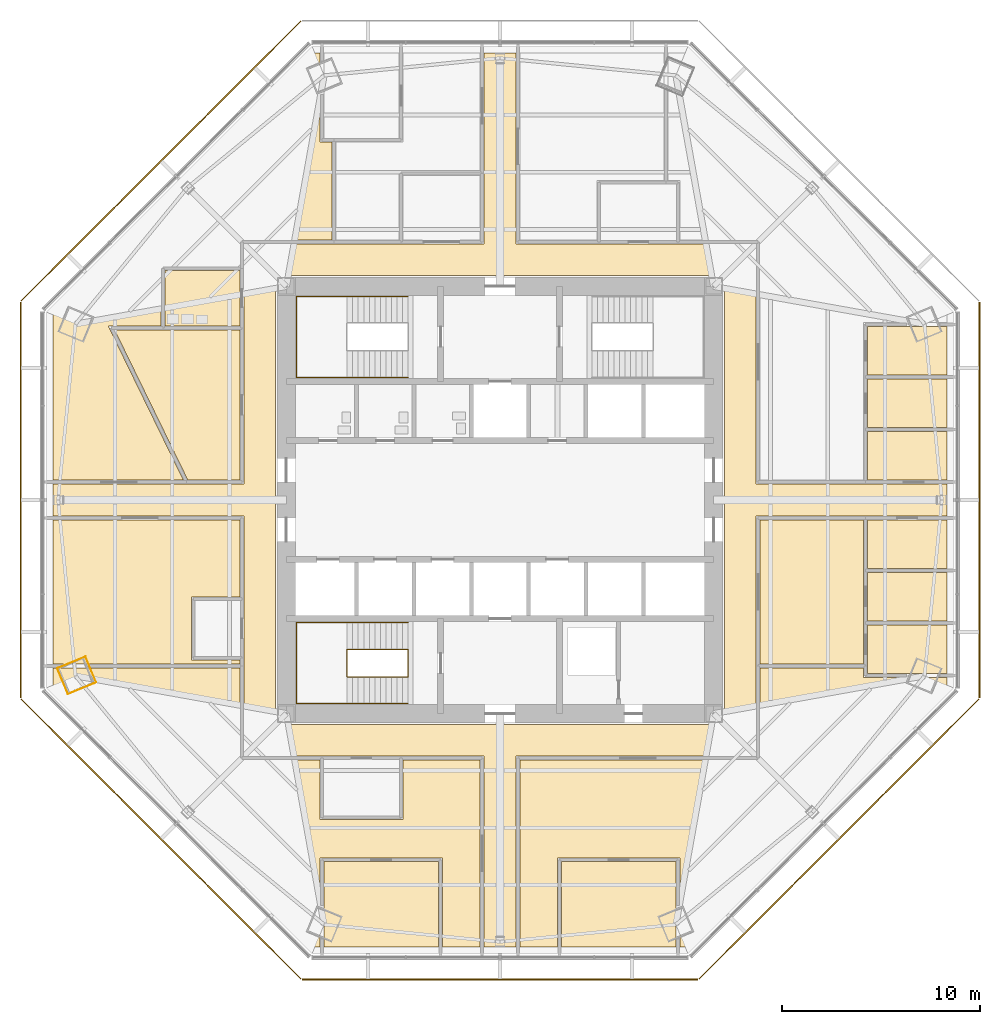
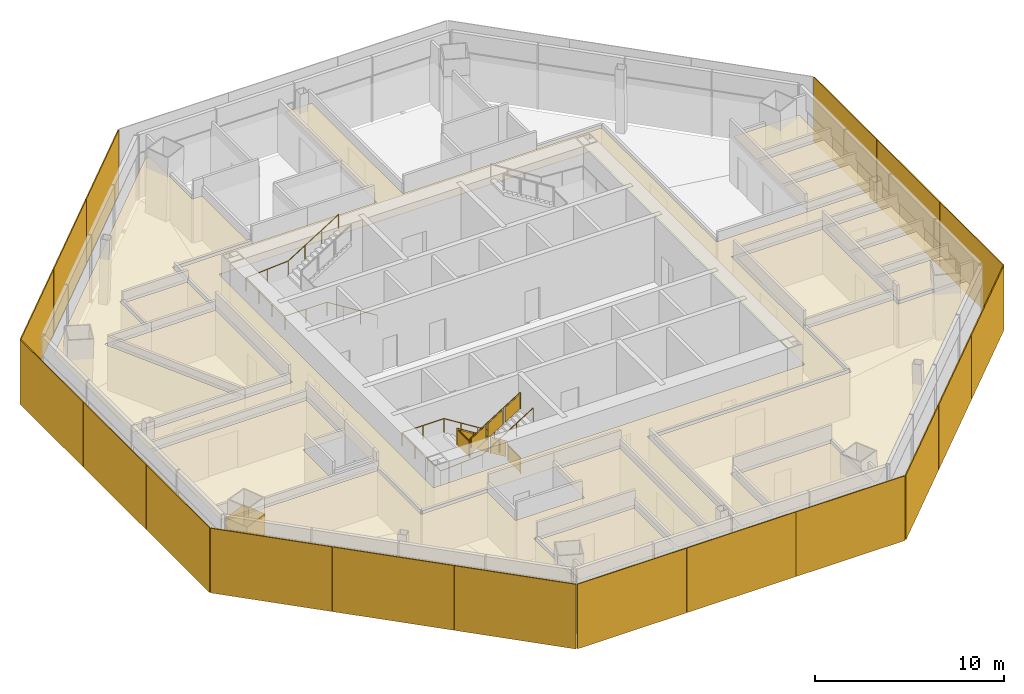
# One storey, part 13 of 15: 18 shading devices, 17 coverings, 3 railings.
"""IFC4 building model written with IfcOpenShell, lengths in metres."""

from ifc_helpers import new_model, si_unit, direction, frame, origin, origin_2d, place, context, subcontext, project, spatial, polyline, rectangle, circle, outline, extrude, source, transform, mapped, material, layer, layer_set, type_object, type_shapes, element, save


model = new_model("IFC4")

# Units and contexts
model_context = context("Model", 3, precision=1e-05, world=origin(), true_north=direction((0.0, 1.0)))
body_context = subcontext(model_context, "Body", "Model", "MODEL_VIEW")
ifc_project = project(units=[si_unit("LENGTHUNIT", "METRE"), si_unit("AREAUNIT", "SQUARE_METRE"), si_unit("VOLUMEUNIT", "CUBIC_METRE"), si_unit("PLANEANGLEUNIT", "RADIAN"), si_unit("MASSUNIT", "GRAM", prefix="KILO")], contexts=[model_context])

# Site, building, storey
site_placement = place(None, origin())
site = spatial("IfcSite", under=ifc_project, at=site_placement, CompositionType="ELEMENT")
building_placement = place(site_placement, origin())
building = spatial("IfcBuilding", under=site, at=building_placement, Name="Mashrafa Tower", CompositionType="ELEMENT")
storey_placement = place(building_placement, frame((0.0, 0.0, 172.199951171875)))
storey = spatial("IfcBuildingStorey", under=building, at=storey_placement, Name="L39", CompositionType="ELEMENT", Elevation=172.199951171875)

# Covering
ifc_material_1 = material(Name="Gypsum board")
ifc_layer_1 = layer(ifc_material_1, 0.014892578125)
ifc_layer_set_1 = layer_set([ifc_layer_1], Name="Column casing plasterboard 15")
covering_type_1 = type_object("IfcCoveringType", Name="Column casing plasterboard 15", PredefinedType="CLADDING", material=ifc_layer_set_1)
covering_1_placement = place(storey_placement, origin())
element("IfcCovering", 1, at=covering_1_placement, inside=storey, type_object=covering_type_1, Name="Column casing L39-002", PredefinedType="CLADDING", context=body_context, shape_type="SweptSolid", body=[
    extrude(outline(polyline([(-22.399658203125, -8.50439453125), (-22.26708984375, -8.449462890625), (-20.958984375, -7.90771484375), (-20.411865234375, -9.228759765625), (-20.544677734375, -9.28369140625), (-21.8525390625, -9.825439453125), (-22.399658203125, -8.50439453125)]), holes=[polyline([(-20.55029296875, -9.27001953125), (-20.431396484375, -9.220703125), (-20.96728515625, -7.92724609375), (-22.26123046875, -8.46337890625), (-22.380126953125, -8.512451171875), (-21.844482421875, -9.805908203125), (-20.55029296875, -9.27001953125)])]), origin(), (0.0, 0.0, 1.0), 3.097900390625),
])

# Railings
ifc_material_2 = material(Name="Steel guard with glass infill", Category="steel")
railing_type_1 = type_object("IfcRailingType", Name="Stair guard 1100", PredefinedType="GUARDRAIL", material=ifc_material_2)
railing_1_placement = place(storey_placement, frame((-4.64990234375, -8.949951171875, 0.0)))
element("IfcRailing", 2, at=railing_1_placement, inside=storey, type_object=railing_type_1, Name="Stair S3 guard L39", PredefinedType="GUARDRAIL", context=body_context, shape_type="SweptSolid", body=[
    extrude(circle(Radius=0.02392578125, at=origin_2d()), frame((0.0, 0.0, 1.076171875), z_axis=(0.0, 1.0, 0.0), x_axis=(-1.0, 0.0, 0.0)), (0.0, 0.0, 1.0), 1.39990234375),
    extrude(circle(Radius=0.02392578125, at=origin_2d()), frame((0.0, 1.39990234375, 1.076171875), z_axis=(0.0, 0.0, 1.0), x_axis=(1.0, 0.0, 0.0)), (0.0, 0.0, 1.0), 0.175048828125),
    extrude(circle(Radius=0.02392578125, at=origin_2d()), frame((0.0, 1.39990234375, 1.2509765625), z_axis=(-0.847998304005, 0.0, 0.529998940003), x_axis=(0.0, -1.0, 0.0)), (0.0, 0.0, 1.0), 3.632080078125),
    extrude(circle(Radius=0.02392578125, at=origin_2d()), frame((-3.080078125, 1.39990234375, 3.17626953125), z_axis=(0.0, -1.0, 0.0), x_axis=(1.0, 0.0, 0.0)), (0.0, 0.0, 1.0), 1.39990234375),
    extrude(circle(Radius=0.02392578125, at=origin_2d()), frame((-3.080078125, 0.0, 3.17626953125), z_axis=(0.0, 0.0, 1.0), x_axis=(1.0, 0.0, 0.0)), (0.0, 0.0, 1.0), 0.175048828125),
    extrude(circle(Radius=0.02392578125, at=origin_2d()), frame((-3.080078125, 0.0, 3.35107421875), z_axis=(0.848028513186, 0.0, 0.529950602248), x_axis=(0.0, 1.0, 0.0)), (0.0, 0.0, 1.0), 3.632080078125),
    extrude(circle(Radius=0.02099609375, at=origin_2d()), origin(), (0.0, 0.0, 1.0), 1.052001953125),
    extrude(circle(Radius=0.02099609375, at=origin_2d()), frame((0.0, 1.39990234375, 0.0)), (0.0, 0.0, 1.0), 1.052001953125),
    extrude(circle(Radius=0.02099609375, at=origin_2d()), frame((0.0, 1.39990234375, 0.175048828125)), (0.0, 0.0, 1.0), 1.052001953125),
    extrude(circle(Radius=0.02099609375, at=origin_2d()), frame((-1.026611328125, 1.39990234375, 0.816650390625)), (0.0, 0.0, 1.0), 1.052001953125),
    extrude(circle(Radius=0.02099609375, at=origin_2d()), frame((-2.053466796875, 1.39990234375, 1.45849609375)), (0.0, 0.0, 1.0), 1.052001953125),
    extrude(circle(Radius=0.02099609375, at=origin_2d()), frame((-3.080078125, 1.39990234375, 2.10009765625)), (0.0, 0.0, 1.0), 1.052001953125),
    extrude(circle(Radius=0.02099609375, at=origin_2d()), frame((-3.080078125, 0.0, 2.10009765625)), (0.0, 0.0, 1.0), 1.052001953125),
    extrude(circle(Radius=0.02099609375, at=origin_2d()), frame((-3.080078125, 0.0, 2.275146484375)), (0.0, 0.0, 1.0), 1.052001953125),
    extrude(circle(Radius=0.02099609375, at=origin_2d()), frame((-2.053466796875, 0.0, 2.916748046875)), (0.0, 0.0, 1.0), 1.052001953125),
    extrude(circle(Radius=0.02099609375, at=origin_2d()), frame((-1.026611328125, 0.0, 3.558349609375)), (0.0, 0.0, 1.0), 1.052001953125),
    extrude(circle(Radius=0.02099609375, at=origin_2d()), frame((0.0, 0.0, 4.199951171875)), (0.0, 0.0, 1.0), 1.052001953125),
    extrude(outline(polyline([(0.071044921875, 0.050048828125), (1.328857421875, 0.050048828125), (1.328857421875, 1.001953125), (0.071044921875, 1.001953125), (0.071044921875, 0.050048828125)])), frame((0.006103515625, 0.0, 0.0), z_axis=(1.0, 0.0, 0.0), x_axis=(0.0, 1.0, 0.0)), (0.0, 0.0, 1.0), 0.011962890625),
    extrude(outline(polyline([(0.071044921875, 0.094482421875), (0.955810546875, 0.647216796875), (0.955810546875, 1.599365234375), (0.071044921875, 1.04638671875), (0.071044921875, 0.094482421875)])), frame((0.0, 1.406005859375, 0.175048828125), z_axis=(0.0, 1.0, 0.0), x_axis=(-1.0, 0.0, 0.0)), (0.0, 0.0, 1.0), 0.011962890625),
    extrude(outline(polyline([(1.09765625, 0.736083984375), (1.982421875, 1.2890625), (1.982421875, 2.240966796875), (1.09765625, 1.68798828125), (1.09765625, 0.736083984375)])), frame((0.0, 1.406005859375, 0.175048828125), z_axis=(0.0, 1.0, 0.0), x_axis=(-1.0, 0.0, 0.0)), (0.0, 0.0, 1.0), 0.011962890625),
    extrude(outline(polyline([(2.124267578125, 1.377685546875), (3.009033203125, 1.9306640625), (3.009033203125, 2.882568359375), (2.124267578125, 2.329833984375), (2.124267578125, 1.377685546875)])), frame((0.0, 1.406005859375, 0.175048828125), z_axis=(0.0, 1.0, 0.0), x_axis=(-1.0, 0.0, 0.0)), (0.0, 0.0, 1.0), 0.011962890625),
    extrude(outline(polyline([(0.071044921875, 0.050048828125), (1.328857421875, 0.050048828125), (1.328857421875, 1.001953125), (0.071044921875, 1.001953125), (0.071044921875, 0.050048828125)])), frame((-3.086181640625, 1.39990234375, 2.10009765625), z_axis=(-1.0, 0.0, 0.0), x_axis=(0.0, -1.0, 0.0)), (0.0, 0.0, 1.0), 0.011962890625),
    extrude(outline(polyline([(0.071044921875, 0.094482421875), (0.955810546875, 0.647216796875), (0.955810546875, 1.59912109375), (0.071044921875, 1.04638671875), (0.071044921875, 0.094482421875)])), frame((-3.080078125, -0.006103515625, 2.275146484375), z_axis=(0.0, -1.0, 0.0), x_axis=(1.0, 0.0, 0.0)), (0.0, 0.0, 1.0), 0.011962890625),
    extrude(outline(polyline([(1.09765625, 0.736083984375), (1.982421875, 1.288818359375), (1.982421875, 2.24072265625), (1.09765625, 1.68798828125), (1.09765625, 0.736083984375)])), frame((-3.080078125, -0.006103515625, 2.275146484375), z_axis=(0.0, -1.0, 0.0), x_axis=(1.0, 0.0, 0.0)), (0.0, 0.0, 1.0), 0.011962890625),
    extrude(outline(polyline([(2.124267578125, 1.377685546875), (3.009033203125, 1.930419921875), (3.009033203125, 2.88232421875), (2.124267578125, 2.32958984375), (2.124267578125, 1.377685546875)])), frame((-3.080078125, -0.006103515625, 2.275146484375), z_axis=(0.0, -1.0, 0.0), x_axis=(1.0, 0.0, 0.0)), (0.0, 0.0, 1.0), 0.011962890625),
])
ifc_material_3 = material(Name="Steel", Category="steel")
railing_type_2 = type_object("IfcRailingType", Name="Stair handrail 900", PredefinedType="HANDRAIL", material=ifc_material_3)
railing_2_placement = place(storey_placement, frame((-4.64990234375, 6.199951171875, 0.175048828125)))
element("IfcRailing", 3, at=railing_2_placement, inside=storey, type_object=railing_type_2, Name="Stair S1 handrail L39", PredefinedType="HANDRAIL", context=body_context, shape_type="SweptSolid", body=[
    extrude(circle(Radius=0.02392578125, at=origin_2d()), frame((0.0, 0.0, 0.8759765625), z_axis=(-0.847998304005, 0.0, 0.529998940003), x_axis=(0.0, -1.0, 0.0)), (0.0, 0.0, 1.0), 3.632080078125),
    extrude(circle(Radius=0.02392578125, at=origin_2d()), frame((-3.080078125, 0.0, 2.80078125), z_axis=(-1.0, 0.0, 0.0), x_axis=(0.0, -1.0, 0.0)), (0.0, 0.0, 1.0), 2.570068359375),
    extrude(circle(Radius=0.02392578125, at=origin_2d()), frame((-5.650146484375, 0.0, 2.80078125), z_axis=(0.0, 1.0, 0.0), x_axis=(-1.0, 0.0, 0.0)), (0.0, 0.0, 1.0), 4.10009765625),
    extrude(circle(Radius=0.02392578125, at=origin_2d()), frame((-5.650146484375, 4.10009765625, 2.80078125), z_axis=(0.997688514158, 0.0, 0.067953136188), x_axis=(0.0, 1.0, 0.0)), (0.0, 0.0, 1.0), 2.575927734375),
    extrude(circle(Radius=0.02392578125, at=origin_2d()), frame((-3.080078125, 4.10009765625, 2.97607421875), z_axis=(0.848028513186, 0.0, 0.529950602248), x_axis=(0.0, 1.0, 0.0)), (0.0, 0.0, 1.0), 3.632080078125),
    extrude(circle(Radius=0.02099609375, at=origin_2d()), origin(), (0.0, 0.0, 1.0), 0.851806640625),
    extrude(circle(Radius=0.02099609375, at=origin_2d()), frame((-1.026611328125, 0.0, 0.6416015625)), (0.0, 0.0, 1.0), 0.851806640625),
    extrude(circle(Radius=0.02099609375, at=origin_2d()), frame((-2.053466796875, 0.0, 1.283447265625)), (0.0, 0.0, 1.0), 0.851806640625),
    extrude(circle(Radius=0.02099609375, at=origin_2d()), frame((-3.080078125, 0.0, 1.925048828125)), (0.0, 0.0, 1.0), 0.851806640625),
    extrude(circle(Radius=0.02099609375, at=origin_2d()), frame((-4.365234375, 0.0, 1.925048828125)), (0.0, 0.0, 1.0), 0.851806640625),
    extrude(circle(Radius=0.02099609375, at=origin_2d()), frame((-5.650146484375, 0.0, 1.925048828125)), (0.0, 0.0, 1.0), 0.851806640625),
    extrude(circle(Radius=0.02099609375, at=origin_2d()), frame((-5.650146484375, 1.36669921875, 1.925048828125)), (0.0, 0.0, 1.0), 0.851806640625),
    extrude(circle(Radius=0.02099609375, at=origin_2d()), frame((-5.650146484375, 2.7333984375, 1.925048828125)), (0.0, 0.0, 1.0), 0.851806640625),
    extrude(circle(Radius=0.02099609375, at=origin_2d()), frame((-5.650146484375, 4.10009765625, 1.925048828125)), (0.0, 0.0, 1.0), 0.851806640625),
    extrude(circle(Radius=0.02099609375, at=origin_2d()), frame((-4.365234375, 4.10009765625, 2.0126953125)), (0.0, 0.0, 1.0), 0.851806640625),
    extrude(circle(Radius=0.02099609375, at=origin_2d()), frame((-3.080078125, 4.10009765625, 2.10009765625)), (0.0, 0.0, 1.0), 0.851806640625),
    extrude(circle(Radius=0.02099609375, at=origin_2d()), frame((-2.053466796875, 4.10009765625, 2.74169921875)), (0.0, 0.0, 1.0), 0.851806640625),
    extrude(circle(Radius=0.02099609375, at=origin_2d()), frame((-1.026611328125, 4.10009765625, 3.38330078125)), (0.0, 0.0, 1.0), 0.851806640625),
    extrude(circle(Radius=0.02099609375, at=origin_2d()), frame((0.0, 4.10009765625, 4.02490234375)), (0.0, 0.0, 1.0), 0.851806640625),
])
railing_3_placement = place(storey_placement, frame((-4.64990234375, -6.199951171875, 0.175048828125)))
element("IfcRailing", 4, at=railing_3_placement, inside=storey, type_object=railing_type_2, Name="Stair S3 handrail L39", PredefinedType="HANDRAIL", context=body_context, shape_type="SweptSolid", body=[
    extrude(circle(Radius=0.02392578125, at=origin_2d()), frame((0.0, 0.0, 0.8759765625), z_axis=(-0.847998304005, 0.0, 0.529998940003), x_axis=(0.0, -1.0, 0.0)), (0.0, 0.0, 1.0), 3.632080078125),
    extrude(circle(Radius=0.02392578125, at=origin_2d()), frame((-3.080078125, 0.0, 2.80078125), z_axis=(-1.0, 0.0, 0.0), x_axis=(0.0, -1.0, 0.0)), (0.0, 0.0, 1.0), 2.570068359375),
    extrude(circle(Radius=0.02392578125, at=origin_2d()), frame((-5.650146484375, 0.0, 2.80078125), z_axis=(0.0, -1.0, 0.0), x_axis=(1.0, 0.0, 0.0)), (0.0, 0.0, 1.0), 4.10009765625),
    extrude(circle(Radius=0.02392578125, at=origin_2d()), frame((-5.650146484375, -4.10009765625, 2.80078125), z_axis=(0.997688514158, 0.0, 0.067953136188), x_axis=(0.0, 1.0, 0.0)), (0.0, 0.0, 1.0), 2.575927734375),
    extrude(circle(Radius=0.02392578125, at=origin_2d()), frame((-3.080078125, -4.10009765625, 2.97607421875), z_axis=(0.848028513186, 0.0, 0.529950602248), x_axis=(0.0, 1.0, 0.0)), (0.0, 0.0, 1.0), 3.632080078125),
    extrude(circle(Radius=0.02099609375, at=origin_2d()), origin(), (0.0, 0.0, 1.0), 0.851806640625),
    extrude(circle(Radius=0.02099609375, at=origin_2d()), frame((-1.026611328125, 0.0, 0.6416015625)), (0.0, 0.0, 1.0), 0.851806640625),
    extrude(circle(Radius=0.02099609375, at=origin_2d()), frame((-2.053466796875, 0.0, 1.283447265625)), (0.0, 0.0, 1.0), 0.851806640625),
    extrude(circle(Radius=0.02099609375, at=origin_2d()), frame((-3.080078125, 0.0, 1.925048828125)), (0.0, 0.0, 1.0), 0.851806640625),
    extrude(circle(Radius=0.02099609375, at=origin_2d()), frame((-4.365234375, 0.0, 1.925048828125)), (0.0, 0.0, 1.0), 0.851806640625),
    extrude(circle(Radius=0.02099609375, at=origin_2d()), frame((-5.650146484375, 0.0, 1.925048828125)), (0.0, 0.0, 1.0), 0.851806640625),
    extrude(circle(Radius=0.02099609375, at=origin_2d()), frame((-5.650146484375, -1.36669921875, 1.925048828125)), (0.0, 0.0, 1.0), 0.851806640625),
    extrude(circle(Radius=0.02099609375, at=origin_2d()), frame((-5.650146484375, -2.7333984375, 1.925048828125)), (0.0, 0.0, 1.0), 0.851806640625),
    extrude(circle(Radius=0.02099609375, at=origin_2d()), frame((-5.650146484375, -4.10009765625, 1.925048828125)), (0.0, 0.0, 1.0), 0.851806640625),
    extrude(circle(Radius=0.02099609375, at=origin_2d()), frame((-4.365234375, -4.10009765625, 2.0126953125)), (0.0, 0.0, 1.0), 0.851806640625),
    extrude(circle(Radius=0.02099609375, at=origin_2d()), frame((-3.080078125, -4.10009765625, 2.10009765625)), (0.0, 0.0, 1.0), 0.851806640625),
    extrude(circle(Radius=0.02099609375, at=origin_2d()), frame((-2.053466796875, -4.10009765625, 2.74169921875)), (0.0, 0.0, 1.0), 0.851806640625),
    extrude(circle(Radius=0.02099609375, at=origin_2d()), frame((-1.026611328125, -4.10009765625, 3.38330078125)), (0.0, 0.0, 1.0), 0.851806640625),
    extrude(circle(Radius=0.02099609375, at=origin_2d()), frame((0.0, -4.10009765625, 4.02490234375)), (0.0, 0.0, 1.0), 0.851806640625),
])

# Coverings
ifc_material_4 = material(Name="Mineral fibre tile on suspension grid")
ifc_layer_2 = layer(ifc_material_4, 0.014892578125)
ifc_layer_set_2 = layer_set([ifc_layer_2], Name="Suspended ceiling mineral tile 15")
covering_type_2 = type_object("IfcCoveringType", Name="Suspended ceiling mineral tile 15", PredefinedType="CEILING", material=ifc_layer_set_2)
covering_2_placement = place(storey_placement, frame((0.0, 0.0, 2.900146484375)))
element("IfcCovering", 5, at=covering_2_placement, inside=storey, type_object=covering_type_2, Name="Ceiling Office Corridor L39", PredefinedType="CEILING", context=body_context, shape_type="SweptSolid", body=[
    extrude(outline(polyline([(-12.949951171875, -12.949951171875), (-12.949951171875, -0.800048828125), (-22.593505859375, -0.800048828125), (-22.593505859375, 0.800048828125), (-12.949951171875, 0.800048828125), (-12.949951171875, 12.949951171875), (-0.800048828125, 12.949951171875), (-0.800048828125, 22.593505859375), (0.800048828125, 22.593505859375), (0.800048828125, 12.949951171875), (12.949951171875, 12.949951171875), (12.949951171875, 0.800048828125), (22.593505859375, 0.800048828125), (22.593505859375, -0.800048828125), (12.949951171875, -0.800048828125), (12.949951171875, -12.949951171875), (0.800048828125, -12.949951171875), (0.800048828125, -22.593505859375), (-0.800048828125, -22.593505859375), (-0.800048828125, -12.949951171875), (-12.949951171875, -12.949951171875)]), holes=[polyline([(11.35009765625, 11.35009765625), (-11.35009765625, 11.35009765625), (-11.35009765625, -11.35009765625), (11.35009765625, -11.35009765625), (11.35009765625, 11.35009765625)])]), origin(), (0.0, 0.0, 1.0), 0.014892578125),
])
covering_3_placement = place(storey_placement, frame((0.0, 0.0, 2.900146484375)))
element("IfcCovering", 6, at=covering_3_placement, inside=storey, type_object=covering_type_2, Name="Ceiling Musallah Prayer Room 39", PredefinedType="CEILING", context=body_context, shape_type="SweptSolid", body=[
    extrude(outline(polyline([(-15.783203125, 1.0), (-19.489990234375, 8.60009765625), (-13.14990234375, 8.60009765625), (-13.14990234375, 1.0), (-15.783203125, 1.0)])), origin(), (0.0, 0.0, 1.0), 0.014892578125),
])
covering_4_placement = place(storey_placement, frame((0.0, 0.0, 2.900146484375)))
element("IfcCovering", 7, at=covering_4_placement, inside=storey, type_object=covering_type_2, Name="Ceiling Ablution Room L39", PredefinedType="CEILING", context=body_context, shape_type="SweptSolid", body=[
    extrude(outline(polyline([(-16.949951171875, 8.800048828125), (-16.949951171875, 11.60009765625), (-13.14990234375, 11.60009765625), (-13.14990234375, 8.800048828125), (-16.949951171875, 8.800048828125)])), origin(), (0.0, 0.0, 1.0), 0.014892578125),
])
covering_5_placement = place(storey_placement, frame((0.0, 0.0, 2.900146484375)))
element("IfcCovering", 8, at=covering_5_placement, inside=storey, type_object=covering_type_2, Name="Ceiling Office 39-2-SE2-1", PredefinedType="CEILING", context=body_context, shape_type="SweptSolid", body=[
    extrude(outline(polyline([(18.593505859375, -6.31103515625), (22.593505859375, -6.31103515625), (22.593505859375, -8.76708984375), (18.593505859375, -8.76708984375), (18.593505859375, -6.31103515625)])), origin(), (0.0, 0.0, 1.0), 0.014892578125),
])
covering_6_placement = place(storey_placement, frame((0.0, 0.0, 2.900146484375)))
element("IfcCovering", 9, at=covering_6_placement, inside=storey, type_object=covering_type_2, Name="Ceiling Office 39-2-SE2-2", PredefinedType="CEILING", context=body_context, shape_type="SweptSolid", body=[
    extrude(outline(polyline([(18.593505859375, -3.656005859375), (22.593505859375, -3.656005859375), (22.593505859375, -6.111083984375), (18.593505859375, -6.111083984375), (18.593505859375, -3.656005859375)])), origin(), (0.0, 0.0, 1.0), 0.014892578125),
])
covering_7_placement = place(storey_placement, frame((0.0, 0.0, 2.900146484375)))
element("IfcCovering", 10, at=covering_7_placement, inside=storey, type_object=covering_type_2, Name="Ceiling Office 39-1-3", PredefinedType="CEILING", context=body_context, shape_type="SweptSolid", body=[
    extrude(outline(polyline([(18.593505859375, -1.0), (22.593505859375, -1.0), (22.593505859375, -3.4560546875), (18.593505859375, -3.4560546875), (18.593505859375, -1.0)])), origin(), (0.0, 0.0, 1.0), 0.014892578125),
])
covering_8_placement = place(storey_placement, frame((0.0, 0.0, 2.900146484375)))
element("IfcCovering", 11, at=covering_8_placement, inside=storey, type_object=covering_type_2, Name="Ceiling Office 39-2-1", PredefinedType="CEILING", context=body_context, shape_type="SweptSolid", body=[
    extrude(outline(polyline([(18.593505859375, 3.4560546875), (22.593505859375, 3.4560546875), (22.593505859375, 1.0), (18.593505859375, 1.0), (18.593505859375, 3.4560546875)])), origin(), (0.0, 0.0, 1.0), 0.014892578125),
])
covering_9_placement = place(storey_placement, frame((0.0, 0.0, 2.900146484375)))
element("IfcCovering", 12, at=covering_9_placement, inside=storey, type_object=covering_type_2, Name="Ceiling Office 39-1-NE1-1", PredefinedType="CEILING", context=body_context, shape_type="SweptSolid", body=[
    extrude(outline(polyline([(18.593505859375, 6.111083984375), (22.593505859375, 6.111083984375), (22.593505859375, 3.656005859375), (18.593505859375, 3.656005859375), (18.593505859375, 6.111083984375)])), origin(), (0.0, 0.0, 1.0), 0.014892578125),
])
covering_10_placement = place(storey_placement, frame((0.0, 0.0, 2.900146484375)))
element("IfcCovering", 13, at=covering_10_placement, inside=storey, type_object=covering_type_2, Name="Ceiling Office 39-1-NE1-2", PredefinedType="CEILING", context=body_context, shape_type="SweptSolid", body=[
    extrude(outline(polyline([(18.593505859375, 8.76708984375), (22.593505859375, 8.76708984375), (22.593505859375, 6.31103515625), (18.593505859375, 6.31103515625), (18.593505859375, 8.76708984375)])), origin(), (0.0, 0.0, 1.0), 0.014892578125),
])
covering_11_placement = place(storey_placement, frame((0.0, 0.0, 2.900146484375)))
element("IfcCovering", 14, at=covering_11_placement, inside=storey, type_object=covering_type_2, Name="Ceiling Meeting Room 39-2-SW1", PredefinedType="CEILING", context=body_context, shape_type="SweptSolid", body=[
    extrude(outline(polyline([(-8.89990234375, -18.29345703125), (-3.10009765625, -18.29345703125), (-3.10009765625, -22.593505859375), (-8.89990234375, -22.593505859375), (-8.89990234375, -18.29345703125)])), origin(), (0.0, 0.0, 1.0), 0.014892578125),
])
covering_12_placement = place(storey_placement, frame((0.0, 0.0, 2.900146484375)))
element("IfcCovering", 15, at=covering_12_placement, inside=storey, type_object=covering_type_2, Name="Ceiling Meeting Room 39-1-SE1", PredefinedType="CEILING", context=body_context, shape_type="SweptSolid", body=[
    extrude(outline(polyline([(3.10009765625, -18.29345703125), (8.89990234375, -18.29345703125), (8.89990234375, -22.593505859375), (3.10009765625, -22.593505859375), (3.10009765625, -18.29345703125)])), origin(), (0.0, 0.0, 1.0), 0.014892578125),
])
covering_13_placement = place(storey_placement, frame((0.0, 0.0, 2.900146484375)))
element("IfcCovering", 16, at=covering_13_placement, inside=storey, type_object=covering_type_2, Name="Ceiling Office Tenancy 39-3-NW1", PredefinedType="CEILING", context=body_context, shape_type="SweptSolid", body=[
    extrude(outline(polyline([(-22.593505859375, 1.0), (-22.593505859375, 9.3583984375), (-9.3583984375, 22.593505859375), (-9.10009765625, 22.593505859375), (-9.10009765625, 18.093505859375), (-8.5, 18.093505859375), (-8.5, 13.14990234375), (-13.14990234375, 13.14990234375), (-13.14990234375, 11.800048828125), (-17.14990234375, 11.800048828125), (-17.14990234375, 8.800048828125), (-19.81005859375, 8.800048828125), (-16.005615234375, 1.0), (-22.593505859375, 1.0)])), origin(), (0.0, 0.0, 1.0), 0.014892578125),
])
covering_14_placement = place(storey_placement, frame((0.0, 0.0, 2.900146484375)))
element("IfcCovering", 17, at=covering_14_placement, inside=storey, type_object=covering_type_2, Name="Ceiling Office Tenancy 39-2-SW1", PredefinedType="CEILING", context=body_context, shape_type="SweptSolid", body=[
    extrude(outline(polyline([(-1.0, -22.593505859375), (-2.89990234375, -22.593505859375), (-2.89990234375, -18.093505859375), (-9.10009765625, -18.093505859375), (-9.10009765625, -22.593505859375), (-9.3583984375, -22.593505859375), (-22.593505859375, -9.3583984375), (-22.593505859375, -8.5), (-13.14990234375, -8.5), (-13.14990234375, -13.14990234375), (-9.10009765625, -13.14990234375), (-9.10009765625, -16.14990234375), (-4.89990234375, -16.14990234375), (-4.89990234375, -13.14990234375), (-1.0, -13.14990234375), (-1.0, -22.593505859375)])), origin(), (0.0, 0.0, 1.0), 0.014892578125),
])
covering_15_placement = place(storey_placement, frame((0.0, 0.0, 2.900146484375)))
element("IfcCovering", 18, at=covering_15_placement, inside=storey, type_object=covering_type_2, Name="Ceiling Office Tenancy 39-3-SW2", PredefinedType="CEILING", context=body_context, shape_type="SweptSolid", body=[
    extrude(outline(polyline([(-13.14990234375, -8.300048828125), (-22.593505859375, -8.300048828125), (-22.593505859375, -1.0), (-13.14990234375, -1.0), (-13.14990234375, -4.89990234375), (-15.60009765625, -4.89990234375), (-15.60009765625, -8.10009765625), (-13.14990234375, -8.10009765625), (-13.14990234375, -8.300048828125)])), origin(), (0.0, 0.0, 1.0), 0.014892578125),
])
covering_16_placement = place(storey_placement, frame((0.0, 0.0, 2.900146484375)))
element("IfcCovering", 19, at=covering_16_placement, inside=storey, type_object=covering_type_2, Name="Ceiling Office Tenancy 39-1-SE1", PredefinedType="CEILING", context=body_context, shape_type="SweptSolid", body=[
    extrude(outline(polyline([(13.14990234375, -8.5), (18.393310546875, -8.5), (18.393310546875, -8.967041015625), (22.593505859375, -8.967041015625), (22.593505859375, -9.3583984375), (9.3583984375, -22.593505859375), (9.10009765625, -22.593505859375), (9.10009765625, -18.093505859375), (2.89990234375, -18.093505859375), (2.89990234375, -22.593505859375), (1.0, -22.593505859375), (1.0, -13.14990234375), (13.14990234375, -13.14990234375), (13.14990234375, -8.5)])), origin(), (0.0, 0.0, 1.0), 0.014892578125),
])
covering_17_placement = place(storey_placement, frame((0.0, 0.0, 2.900146484375)))
element("IfcCovering", 20, at=covering_17_placement, inside=storey, type_object=covering_type_2, Name="Ceiling Office Tenancy 39-2-SE2", PredefinedType="CEILING", context=body_context, shape_type="SweptSolid", body=[
    extrude(outline(polyline([(18.393310546875, -8.300048828125), (13.14990234375, -8.300048828125), (13.14990234375, -1.0), (18.393310546875, -1.0), (18.393310546875, -8.300048828125)])), origin(), (0.0, 0.0, 1.0), 0.014892578125),
])

# Shading devices
ifc_material_5 = material(Name="Perforated aluminium plate, eight-point star pattern", Category="aluminium")
ifc_layer_3 = layer(ifc_material_5, 0.06005859375)
ifc_layer_set_3 = layer_set([ifc_layer_3], Name="Mashrabiya screen panel office zone 2, 40 percent open")
shading_device_type = type_object("IfcShadingDeviceType", Name="Mashrabiya screen panel office zone 2, 40 percent open", PredefinedType="SHUTTER", material=ifc_layer_set_3)
shared_shape = source(origin(), body_context, "Body", "SweptSolid", [
    extrude(rectangle(XDim=6.65966796875, YDim=0.06005859375, at=origin_2d()), origin(), (0.0, 0.0, 1.0), 4.179931640625),
])
type_shapes(shading_device_type, [shared_shape])
for number, where, z_axis, x_axis, name in (
    (21, (24.243408203125, -6.6796875, -0.14990234375), (0.0, 0.0, 1.0), (0.0, 1.0, 0.0), "Mashrabiya screen L39 east 1"),
    (22, (24.243408203125, 0.0, -0.14990234375), (0.0, 0.0, 1.0), (0.0, 1.0, 0.0), "Mashrabiya screen L39 east 2"),
    (23, (24.243408203125, 6.6796875, -0.14990234375), (0.0, 0.0, 1.0), (0.0, 1.0, 0.0), "Mashrabiya screen L39 east 3"),
    (24, (-12.41943359375, 21.865966796875, -0.14990234375), (0.0, 0.0, 1.0), (-0.707106781187, -0.707106781187, 0.0), "Mashrabiya screen L39 north-west 1"),
    (25, (-17.142578125, 17.142578125, -0.14990234375), (0.0, 0.0, 1.0), (-0.707106781187, -0.707106781187, 0.0), "Mashrabiya screen L39 north-west 2"),
    (26, (-21.865966796875, 12.41943359375, -0.14990234375), (0.0, 0.0, 1.0), (-0.707106781187, -0.707106781187, 0.0), "Mashrabiya screen L39 north-west 3"),
    (27, (-24.243408203125, 6.6796875, -0.14990234375), (0.0, 0.0, 1.0), (0.0, -1.0, 0.0), "Mashrabiya screen L39 west 1"),
    (28, (-24.243408203125, 0.0, -0.14990234375), (0.0, 0.0, 1.0), (0.0, -1.0, 0.0), "Mashrabiya screen L39 west 2"),
    (29, (-24.243408203125, -6.6796875, -0.14990234375), (0.0, 0.0, 1.0), (0.0, -1.0, 0.0), "Mashrabiya screen L39 west 3"),
    (30, (-21.865966796875, -12.41943359375, -0.14990234375), (0.0, 0.0, 1.0), (0.707106781187, -0.707106781187, 0.0), "Mashrabiya screen L39 south-west 1"),
    (31, (-17.142578125, -17.142578125, -0.14990234375), (0.0, 0.0, 1.0), (0.707106781187, -0.707106781187, 0.0), "Mashrabiya screen L39 south-west 2"),
    (32, (-12.41943359375, -21.865966796875, -0.14990234375), (0.0, 0.0, 1.0), (0.707106781187, -0.707106781187, 0.0), "Mashrabiya screen L39 south-west 3"),
    (33, (-6.6796875, -24.243408203125, -0.14990234375), (0.0, 0.0, 1.0), (1.0, 0.0, 0.0), "Mashrabiya screen L39 south 1"),
    (34, (0.0, -24.243408203125, -0.14990234375), (0.0, 0.0, 1.0), (1.0, 0.0, 0.0), "Mashrabiya screen L39 south 2"),
    (35, (6.6796875, -24.243408203125, -0.14990234375), (0.0, 0.0, 1.0), (1.0, 0.0, 0.0), "Mashrabiya screen L39 south 3"),
    (36, (12.41943359375, -21.865966796875, -0.14990234375), (0.0, 0.0, 1.0), (0.707106781187, 0.707106781187, 0.0), "Mashrabiya screen L39 south-east 1"),
    (37, (17.142578125, -17.142578125, -0.14990234375), (0.0, 0.0, 1.0), (0.707106781187, 0.707106781187, 0.0), "Mashrabiya screen L39 south-east 2"),
    (38, (21.865966796875, -12.41943359375, -0.14990234375), (0.0, 0.0, 1.0), (0.707106781187, 0.707106781187, 0.0), "Mashrabiya screen L39 south-east 3"),
):
    element("IfcShadingDevice", number, at=place(storey_placement, frame(where, z_axis=z_axis, x_axis=x_axis)), inside=storey, type_object=shading_device_type, Name=name, PredefinedType="SHUTTER", context=body_context, shape_type="MappedRepresentation", body=[
        mapped(shared_shape, transform((0.0, 0.0, 0.0))),
    ])

save(model, "model.ifc")
